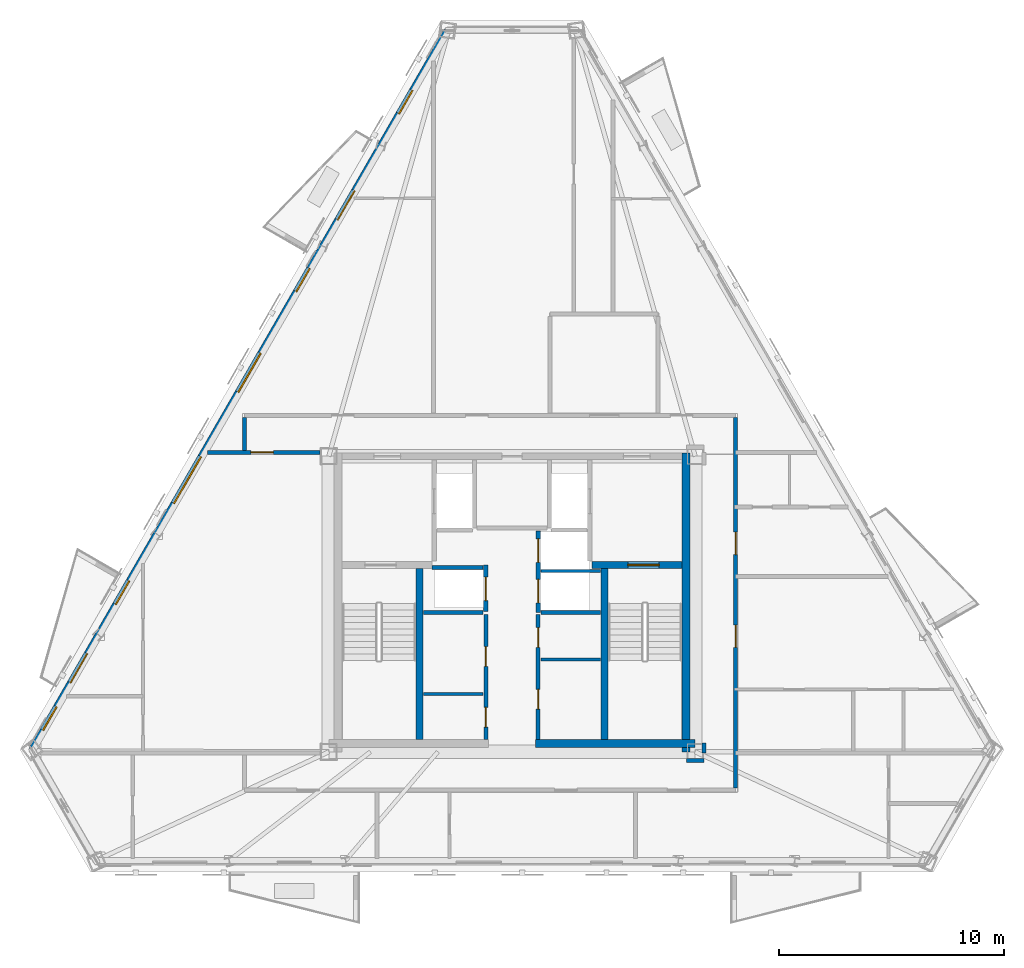
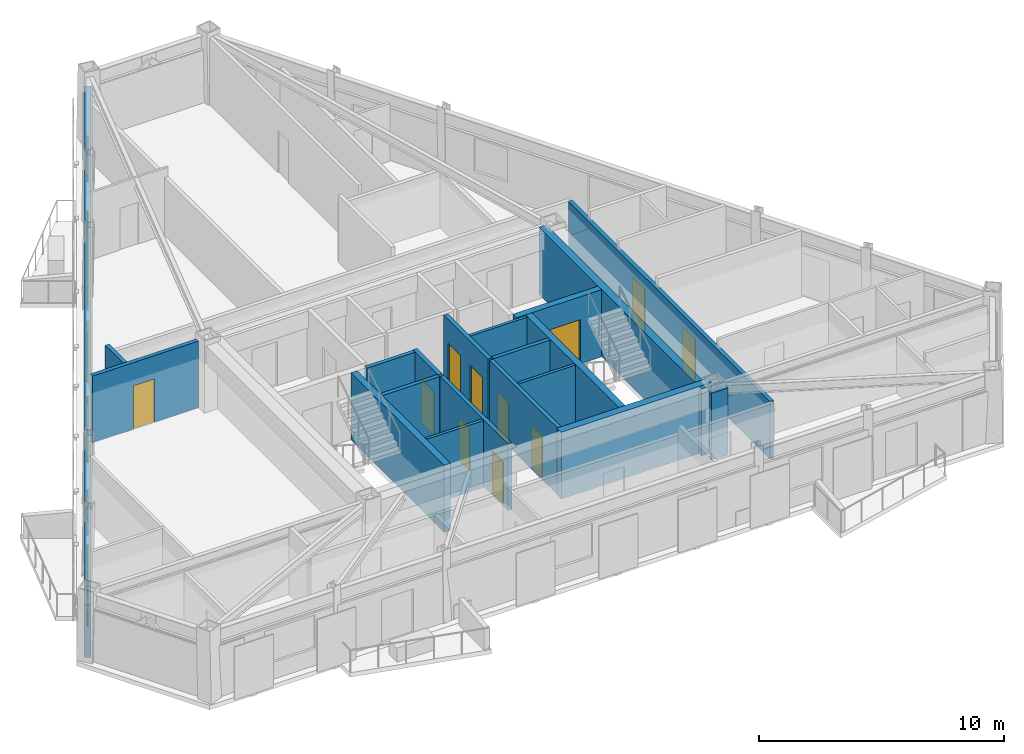
# One storey, part 3 of 8: 21 walls, 13 doors, 6 windows, 19 openings.
"""IFC4 building model written with IfcOpenShell, lengths in metres."""

import ifcopenshell
import ifcopenshell.guid

model = None  # the IFC model being written
_history = None  # IfcOwnerHistory: only IFC2X3 demands one
_inside = {}  # id of a spatial element -> (the spatial element, [elements in it])
_under = {}  # id of a project, library or spatial element -> (it, [spatial elements below it])
_declared = {}  # id of a project -> (the project, [libraries it declares])
_typed = {}  # id of a type object -> (the type object, [elements of that type])
_made_of = {}  # id of a material, layer set ... -> (it, [elements and type objects made of it])


def new_model(schema):
    """Start an empty IFC model of exactly this schema.

    Asked for "IFC4X3", IfcOpenShell would pick the latest addendum, in which some entities
    have other attributes; the version numbers below select the first issue.
    IFC2X3 requires an IfcOwnerHistory on every rooted entity: one is made here for all.
    """
    global model, _history
    if schema == "IFC4X3":
        model = ifcopenshell.file(schema_version=(4, 3, 0, 0))
    else:
        model = ifcopenshell.file(schema=schema)
    _inside.clear()
    _under.clear()
    _declared.clear()
    _typed.clear()
    _made_of.clear()
    _history = None
    if model.schema == "IFC2X3":
        org = make("IfcOrganization", Name="unknown")
        user = make(
            "IfcPersonAndOrganization",
            ThePerson=make("IfcPerson", FamilyName="unknown"),
            TheOrganization=org,
        )
        app = make(
            "IfcApplication",
            ApplicationDeveloper=org,
            Version="unknown",
            ApplicationFullName="unknown",
            ApplicationIdentifier="unknown",
        )
        _history = make(
            "IfcOwnerHistory",
            OwningUser=user,
            OwningApplication=app,
            ChangeAction="ADDED",
            CreationDate=0,
        )
    return model


def make(cls, **values):
    """One entity of the class cls with the attributes given. An attribute that is None is left unset."""
    return model.create_entity(
        cls, **{name: value for name, value in values.items() if value is not None}
    )


def rooted(cls, **values):
    """An entity with a GlobalId (a new one), such as an element, a storey or a relation."""
    return make(cls, GlobalId=ifcopenshell.guid.new(), OwnerHistory=_history, **values)


def si_unit(unit_type, name, prefix=None):
    """IfcSIUnit, for example si_unit("LENGTHUNIT", "METRE", prefix="MILLI")."""
    return make("IfcSIUnit", UnitType=unit_type, Prefix=prefix, Name=name)


def assignment(units):
    """IfcUnitAssignment: the units of a project."""
    return None if units is None else make("IfcUnitAssignment", Units=units)


def point(xyz):
    """IfcCartesianPoint."""
    return None if xyz is None else make("IfcCartesianPoint", Coordinates=xyz)


def direction(xyz):
    """IfcDirection."""
    return None if xyz is None else make("IfcDirection", DirectionRatios=xyz)


def frame(location, z_axis=None, x_axis=None):
    """IfcAxis2Placement3D, a coordinate frame: its origin and axes. An axis left out is left unset."""
    return make(
        "IfcAxis2Placement3D",
        Location=point(location),
        Axis=direction(z_axis),
        RefDirection=direction(x_axis),
    )


def frame_2d(location, x_axis=None):
    """IfcAxis2Placement2D, a coordinate frame in the plane: its origin and x axis."""
    return make(
        "IfcAxis2Placement2D", Location=point(location), RefDirection=direction(x_axis)
    )


def origin():
    """The frame at (0, 0, 0) with its axes left unset."""
    return frame((0.0, 0.0, 0.0))


def place(relative_to, where):
    """IfcLocalPlacement: puts the frame where relative to a parent placement (None: the world)."""
    return make(
        "IfcLocalPlacement", PlacementRelTo=relative_to, RelativePlacement=where
    )


def context(
    kind, dimensions, precision=None, world=None, true_north=None, identifier=None
):
    """IfcGeometricRepresentationContext, for example the 3D "Model" context."""
    return make(
        "IfcGeometricRepresentationContext",
        ContextIdentifier=identifier,
        ContextType=kind,
        CoordinateSpaceDimension=dimensions,
        Precision=precision,
        WorldCoordinateSystem=world,
        TrueNorth=true_north,
    )


def subcontext(parent, identifier, kind, view, scale=None):
    """IfcGeometricRepresentationSubContext, for example "Body" below "Model"."""
    return make(
        "IfcGeometricRepresentationSubContext",
        ContextIdentifier=identifier,
        ContextType=kind,
        ParentContext=parent,
        TargetScale=scale,
        TargetView=view,
    )


def project(units=None, contexts=None):
    """IfcProject with its units and contexts."""
    return rooted(
        "IfcProject",
        Name="project",
        RepresentationContexts=contexts,
        UnitsInContext=assignment(units),
    )


def spatial(cls, under=None, at=None, **own):
    """A site, building, storey or space (cls), placed at a placement, below another one or the project."""
    s = rooted(cls, ObjectPlacement=at, **own)
    if under is not None:
        _under.setdefault(under.id(), (under, []))[1].append(s)
    return s


def profile(cls, at=None, kind="AREA", **sizes):
    """A parametric profile (cls). Its sizes go by their IFC names, for example OverallWidth=200.0."""
    return make(cls, ProfileType=kind, Position=at, **sizes)


def rectangle(**sizes):
    """IfcRectangleProfileDef."""
    return profile("IfcRectangleProfileDef", **sizes)


def extrude(swept, where, along, depth):
    """IfcExtrudedAreaSolid: the profile swept, set in the frame where, extruded along a direction by depth."""
    return make(
        "IfcExtrudedAreaSolid",
        SweptArea=swept,
        Position=where,
        ExtrudedDirection=direction(along),
        Depth=depth,
    )


def shape(context_of_items, identifier, shape_type, items):
    """IfcShapeRepresentation: the items that make up one representation, for example the "Body"."""
    return make(
        "IfcShapeRepresentation",
        ContextOfItems=context_of_items,
        RepresentationIdentifier=identifier,
        RepresentationType=shape_type,
        Items=items,
    )


def material(Name=None, Category=None):
    """IfcMaterial."""
    return make("IfcMaterial", Name=Name, Category=Category)


def layer(
    of_material, thickness, ventilated=None, Name=None, Category=None, Priority=None
):
    """IfcMaterialLayer: one layer of a wall or slab, of a material (None: an air gap)."""
    return make(
        "IfcMaterialLayer",
        Material=of_material,
        LayerThickness=thickness,
        IsVentilated=ventilated,
        Name=Name,
        Category=Category,
        Priority=Priority,
    )


def layer_set(layers, Name=None):
    """IfcMaterialLayerSet."""
    return make("IfcMaterialLayerSet", MaterialLayers=layers, LayerSetName=Name)


def made_of(thing, what):
    """Note that an element or type object is made of a material, layer set ...; save() writes the relation."""
    if what is not None:
        _made_of.setdefault(what.id(), (what, []))[1].append(thing)
    return thing


def type_object(cls, material=None, **own):
    """A type object (cls), such as IfcWallType, which elements share."""
    return made_of(rooted(cls, **own), material)


def element(
    cls,
    number,
    at=None,
    inside=None,
    cuts=None,
    type_object=None,
    material=None,
    context=None,
    identifier="Body",
    shape_type=None,
    held_by="IfcProductDefinitionShape",
    body=None,
    shapes=None,
    **own,
):
    """One element of the class cls, such as IfcWall. Its Tag is "e" and its number.

    at: its placement. inside: the storey or other place that contains it. cuts: it is an
    opening in that element (IfcRelVoidsElement). A single representation is given by context,
    identifier, shape_type and body (its items); several are given by shapes. held_by: the class
    of the entity that holds the representations. save() writes the other relations.
    """
    e = rooted(cls, Tag="e%d" % number, ObjectPlacement=at, **own)
    if body is not None:
        shapes = [shape(context, identifier, shape_type, body)]
    if shapes is not None:
        e.Representation = make(held_by, Representations=shapes)
    if inside is not None:
        _inside.setdefault(inside.id(), (inside, []))[1].append(e)
    if cuts is not None:
        rooted(
            "IfcRelVoidsElement", RelatingBuildingElement=cuts, RelatedOpeningElement=e
        )
    if type_object is not None:
        _typed.setdefault(type_object.id(), (type_object, []))[1].append(e)
    return made_of(e, material)


def fill(opening, filler):
    """IfcRelFillsElement: the door or window that sits in an opening."""
    return rooted(
        "IfcRelFillsElement",
        RelatingOpeningElement=opening,
        RelatedBuildingElement=filler,
    )


def aggregate(whole, parts):
    """IfcRelAggregates: a whole, such as a stair, and the parts it consists of."""
    return rooted("IfcRelAggregates", RelatingObject=whole, RelatedObjects=parts)


def save(model, path):
    """Write the relations noted so far, then the file.

    IfcRelAggregates (storeys below a building ...), IfcRelContainedInSpatialStructure (elements
    in a storey), IfcRelDefinesByType, IfcRelAssociatesMaterial and IfcRelDeclares: one each for
    every whole, place, type object, material and project.
    """
    for whole, parts in _under.values():
        aggregate(whole, parts)
    for where, things in _inside.values():
        rooted(
            "IfcRelContainedInSpatialStructure",
            RelatedElements=things,
            RelatingStructure=where,
        )
    for kind, things in _typed.values():
        rooted("IfcRelDefinesByType", RelatedObjects=things, RelatingType=kind)
    for what, things in _made_of.values():
        rooted("IfcRelAssociatesMaterial", RelatedObjects=things, RelatingMaterial=what)
    for by, libraries in _declared.values():
        rooted("IfcRelDeclares", RelatingContext=by, RelatedDefinitions=libraries)
    model.write(path)


model = new_model("IFC4")

# Units and contexts
model_context = context("Model", 3, precision=1e-05, world=origin(), true_north=direction((0.0, 1.0)))
body_context = subcontext(model_context, "Body", "Model", "MODEL_VIEW")
ifc_project = project(units=[si_unit("LENGTHUNIT", "METRE"), si_unit("AREAUNIT", "SQUARE_METRE"), si_unit("VOLUMEUNIT", "CUBIC_METRE"), si_unit("PLANEANGLEUNIT", "RADIAN"), si_unit("MASSUNIT", "GRAM", prefix="KILO")], contexts=[model_context])

# Site, building, storey
site_placement = place(None, origin())
site = spatial("IfcSite", under=ifc_project, at=site_placement, CompositionType="ELEMENT")
building_placement = place(site_placement, origin())
building = spatial("IfcBuilding", under=site, at=building_placement, Name="Oramaril Tower", CompositionType="ELEMENT")
storey_placement = place(building_placement, frame((0.0, 0.0, 241.5)))
storey = spatial("IfcBuildingStorey", under=building, at=storey_placement, Name="L64", CompositionType="ELEMENT", Elevation=241.5)

# Wall, openings, doors, windows
ifc_material_1 = material(Name="Warm Cream Limestone", Category="masonry")
ifc_layer_1 = layer(ifc_material_1, 0.2900390625)
ifc_layer_set_1 = layer_set([ifc_layer_1], Name="WT-EXT29")
wall_type_1 = type_object("IfcWallType", Name="WT-EXT29", PredefinedType="SOLIDWALL", material=ifc_layer_set_1)
wall_1_placement = place(storey_placement, frame((34.6181640625, 43.09765625, 0.0), z_axis=(0.0, 0.0, 1.0), x_axis=(-0.499999075663, -0.86602593745, 0.0)))
wall_1 = element("IfcWall", 1, at=wall_1_placement, inside=storey, type_object=wall_type_1, Name="L64 Tower Limestone Facade Wall 6M", PredefinedType="SOLIDWALL", context=body_context, shape_type="SweptSolid", body=[
    extrude(rectangle(XDim=36.951171875, YDim=0.2900390625, at=frame_2d((18.4755859375, 0.0))), origin(), (0.0, 0.0, 1.0), 2.636962890625),
])
opening_1_placement = place(wall_1_placement, frame((8.244384765625, 0.0, 0.0)))
opening_1 = element("IfcOpeningElement", 2, at=opening_1_placement, cuts=wall_1, Name="Opening D-L64-BAL-NW1", PredefinedType="OPENING", context=body_context, shape_type="SweptSolid", body=[
    extrude(rectangle(XDim=1.5, YDim=2.199951171875, at=frame_2d((0.75, 1.10009765625))), frame((0.0, 0.14501953125, 0.0), z_axis=(0.0, -1.0, 0.0), x_axis=(1.0, 0.0, 0.0)), (0.0, 0.0, 1.0), 0.2900390625),
])
opening_2_placement = place(wall_1_placement, frame((32.02197265625, 0.0, 0.0)))
opening_2 = element("IfcOpeningElement", 3, at=opening_2_placement, cuts=wall_1, Name="Opening D-L64-BAL-NW2", PredefinedType="OPENING", context=body_context, shape_type="SweptSolid", body=[
    extrude(rectangle(XDim=1.5, YDim=2.199951171875, at=frame_2d((0.75, 1.10009765625))), frame((0.0, 0.14501953125, 0.0), z_axis=(0.0, -1.0, 0.0), x_axis=(1.0, 0.0, 0.0)), (0.0, 0.0, 1.0), 0.2900390625),
])
opening_3_placement = place(wall_1_placement, frame((21.910888671875, 0.0, 0.85009765625)))
opening_3 = element("IfcOpeningElement", 4, at=opening_3_placement, cuts=wall_1, Name="Opening WN-03", PredefinedType="OPENING", context=body_context, shape_type="SweptSolid", body=[
    extrude(rectangle(XDim=2.39990234375, YDim=1.677001953125, at=frame_2d((1.199951171875, 0.83837890625))), frame((0.0, 0.14501953125, 0.0), z_axis=(0.0, -1.0, 0.0), x_axis=(1.0, 0.0, 0.0)), (0.0, 0.0, 1.0), 0.2900390625),
])
opening_4_placement = place(wall_1_placement, frame((28.289794921875, 0.0, 0.85009765625)))
opening_4 = element("IfcOpeningElement", 5, at=opening_4_placement, cuts=wall_1, Name="Opening WN-09", PredefinedType="OPENING", context=body_context, shape_type="SweptSolid", body=[
    extrude(rectangle(XDim=1.199951171875, YDim=1.47998046875, at=frame_2d((0.60009765625, 0.739990234375))), frame((0.0, 0.14501953125, 0.0), z_axis=(0.0, -1.0, 0.0), x_axis=(1.0, 0.0, 0.0)), (0.0, 0.0, 1.0), 0.2900390625),
])
opening_5_placement = place(wall_1_placement, frame((34.7548828125, 0.0, 0.85009765625)))
opening_5 = element("IfcOpeningElement", 6, at=opening_5_placement, cuts=wall_1, Name="Opening WN-09", PredefinedType="OPENING", context=body_context, shape_type="SweptSolid", body=[
    extrude(rectangle(XDim=1.199951171875, YDim=1.47998046875, at=frame_2d((0.60009765625, 0.739990234375))), frame((0.0, 0.14501953125, 0.0), z_axis=(0.0, -1.0, 0.0), x_axis=(1.0, 0.0, 0.0)), (0.0, 0.0, 1.0), 0.2900390625),
])
opening_6_placement = place(wall_1_placement, frame((12.23291015625, 0.0, 0.85009765625)))
opening_6 = element("IfcOpeningElement", 7, at=opening_6_placement, cuts=wall_1, Name="Opening WN-09", PredefinedType="OPENING", context=body_context, shape_type="SweptSolid", body=[
    extrude(rectangle(XDim=1.199951171875, YDim=1.47998046875, at=frame_2d((0.60009765625, 0.739990234375))), frame((0.0, 0.14501953125, 0.0), z_axis=(0.0, -1.0, 0.0), x_axis=(1.0, 0.0, 0.0)), (0.0, 0.0, 1.0), 0.2900390625),
])
opening_7_placement = place(wall_1_placement, frame((16.590087890625, 0.0, 0.85009765625)))
opening_7 = element("IfcOpeningElement", 8, at=opening_7_placement, cuts=wall_1, Name="Opening WN-05", PredefinedType="OPENING", context=body_context, shape_type="SweptSolid", body=[
    extrude(rectangle(XDim=2.0, YDim=1.677001953125, at=frame_2d((1.0, 0.83837890625))), frame((0.0, 0.14501953125, 0.0), z_axis=(0.0, -1.0, 0.0), x_axis=(1.0, 0.0, 0.0)), (0.0, 0.0, 1.0), 0.2900390625),
])
opening_8_placement = place(wall_1_placement, frame((3.091552734375, 0.0, 0.85009765625)))
opening_8 = element("IfcOpeningElement", 9, at=opening_8_placement, cuts=wall_1, Name="Opening WN-09", PredefinedType="OPENING", context=body_context, shape_type="SweptSolid", body=[
    extrude(rectangle(XDim=1.199951171875, YDim=1.47998046875, at=frame_2d((0.60009765625, 0.739990234375))), frame((0.0, 0.14501953125, 0.0), z_axis=(0.0, -1.0, 0.0), x_axis=(1.0, 0.0, 0.0)), (0.0, 0.0, 1.0), 0.2900390625),
])
ifc_material_2 = material(Name="Anodised Aluminium 6063-T6", Category="aluminium")
door_type_1 = type_object("IfcDoorType", Name="DT-BAL", OperationType="NOTDEFINED", PredefinedType="DOOR", material=ifc_material_2)
door_1_placement = place(opening_1_placement, origin())
door_1 = element("IfcDoor", 10, at=door_1_placement, inside=storey, type_object=door_type_1, Name="L64 Balcony Glazed Door L64-BAL-NW1", OperationType="SINGLE_SWING_LEFT", OverallHeight=2.199951171875, OverallWidth=1.5, PredefinedType="DOOR", context=body_context, shape_type="SweptSolid", body=[
    extrude(rectangle(XDim=1.5, YDim=2.199951171875, at=frame_2d((0.75, 1.10009765625))), frame((0.0, 0.02490234375, 0.0), z_axis=(0.0, -1.0, 0.0), x_axis=(1.0, 0.0, 0.0)), (0.0, 0.0, 1.0), 0.050048828125),
])
fill(opening_1, door_1)
door_2_placement = place(opening_2_placement, origin())
door_2 = element("IfcDoor", 11, at=door_2_placement, inside=storey, type_object=door_type_1, Name="L64 Balcony Glazed Door L64-BAL-NW2", OperationType="SINGLE_SWING_RIGHT", OverallHeight=2.199951171875, OverallWidth=1.5, PredefinedType="DOOR", context=body_context, shape_type="SweptSolid", body=[
    extrude(rectangle(XDim=1.5, YDim=2.199951171875, at=frame_2d((0.75, 1.10009765625))), frame((0.0, 0.02490234375, 0.0), z_axis=(0.0, -1.0, 0.0), x_axis=(1.0, 0.0, 0.0)), (0.0, 0.0, 1.0), 0.050048828125),
])
fill(opening_2, door_2)
ifc_material_3 = material(Name="Coastal Low-E Insulated Glass", Category="glass")
window_type_1 = type_object("IfcWindowType", Name="WNT-03", PartitioningType="SINGLE_PANEL", PredefinedType="WINDOW", material=ifc_material_3)
window_1_placement = place(opening_3_placement, origin())
window_1 = element("IfcWindow", 12, at=window_1_placement, inside=storey, type_object=window_type_1, Name="L64 Chicago Bay Window WN-03", OverallHeight=1.677001953125, OverallWidth=2.39990234375, PartitioningType="SINGLE_PANEL", PredefinedType="WINDOW", context=body_context, shape_type="SweptSolid", body=[
    extrude(rectangle(XDim=2.39990234375, YDim=1.677001953125, at=frame_2d((1.199951171875, 0.83837890625))), frame((0.0, 0.030029296875, 0.0), z_axis=(0.0, -1.0, 0.0), x_axis=(1.0, 0.0, 0.0)), (0.0, 0.0, 1.0), 0.06005859375),
])
fill(opening_3, window_1)
ifc_material_4 = material(Name="Coastal Low-E Insulated Glass", Category="glass")
window_type_2 = type_object("IfcWindowType", Name="WNT-05", PartitioningType="SINGLE_PANEL", PredefinedType="WINDOW", material=ifc_material_4)
window_2_placement = place(opening_7_placement, origin())
window_2 = element("IfcWindow", 13, at=window_2_placement, inside=storey, type_object=window_type_2, Name="L64 Chicago Bay Window WN-05", OverallHeight=1.677001953125, OverallWidth=2.0, PartitioningType="SINGLE_PANEL", PredefinedType="WINDOW", context=body_context, shape_type="SweptSolid", body=[
    extrude(rectangle(XDim=2.0, YDim=1.677001953125, at=frame_2d((1.0, 0.83837890625))), frame((0.0, 0.030029296875, 0.0), z_axis=(0.0, -1.0, 0.0), x_axis=(1.0, 0.0, 0.0)), (0.0, 0.0, 1.0), 0.06005859375),
])
fill(opening_7, window_2)
ifc_material_5 = material(Name="Coastal Low-E Insulated Glass", Category="glass")
window_type_3 = type_object("IfcWindowType", Name="WNT-09", PartitioningType="SINGLE_PANEL", PredefinedType="WINDOW", material=ifc_material_5)
window_3_placement = place(opening_4_placement, origin())
window_3 = element("IfcWindow", 14, at=window_3_placement, inside=storey, type_object=window_type_3, Name="L64 Chicago Bay Window WN-09", OverallHeight=1.47998046875, OverallWidth=1.199951171875, PartitioningType="SINGLE_PANEL", PredefinedType="WINDOW", context=body_context, shape_type="SweptSolid", body=[
    extrude(rectangle(XDim=1.199951171875, YDim=1.47998046875, at=frame_2d((0.60009765625, 0.739990234375))), frame((0.0, 0.030029296875, 0.0), z_axis=(0.0, -1.0, 0.0), x_axis=(1.0, 0.0, 0.0)), (0.0, 0.0, 1.0), 0.06005859375),
])
fill(opening_4, window_3)
window_4_placement = place(opening_5_placement, origin())
window_4 = element("IfcWindow", 15, at=window_4_placement, inside=storey, type_object=window_type_3, Name="L64 Chicago Bay Window WN-09", OverallHeight=1.47998046875, OverallWidth=1.199951171875, PartitioningType="SINGLE_PANEL", PredefinedType="WINDOW", context=body_context, shape_type="SweptSolid", body=[
    extrude(rectangle(XDim=1.199951171875, YDim=1.47998046875, at=frame_2d((0.60009765625, 0.739990234375))), frame((0.0, 0.030029296875, 0.0), z_axis=(0.0, -1.0, 0.0), x_axis=(1.0, 0.0, 0.0)), (0.0, 0.0, 1.0), 0.06005859375),
])
fill(opening_5, window_4)
window_5_placement = place(opening_6_placement, origin())
window_5 = element("IfcWindow", 16, at=window_5_placement, inside=storey, type_object=window_type_3, Name="L64 Chicago Bay Window WN-09", OverallHeight=1.47998046875, OverallWidth=1.199951171875, PartitioningType="SINGLE_PANEL", PredefinedType="WINDOW", context=body_context, shape_type="SweptSolid", body=[
    extrude(rectangle(XDim=1.199951171875, YDim=1.47998046875, at=frame_2d((0.60009765625, 0.739990234375))), frame((0.0, 0.030029296875, 0.0), z_axis=(0.0, -1.0, 0.0), x_axis=(1.0, 0.0, 0.0)), (0.0, 0.0, 1.0), 0.06005859375),
])
fill(opening_6, window_5)
window_6_placement = place(opening_8_placement, origin())
window_6 = element("IfcWindow", 17, at=window_6_placement, inside=storey, type_object=window_type_3, Name="L64 Chicago Bay Window WN-09", OverallHeight=1.47998046875, OverallWidth=1.199951171875, PartitioningType="SINGLE_PANEL", PredefinedType="WINDOW", context=body_context, shape_type="SweptSolid", body=[
    extrude(rectangle(XDim=1.199951171875, YDim=1.47998046875, at=frame_2d((0.60009765625, 0.739990234375))), frame((0.0, 0.030029296875, 0.0), z_axis=(0.0, -1.0, 0.0), x_axis=(1.0, 0.0, 0.0)), (0.0, 0.0, 1.0), 0.06005859375),
])
fill(opening_8, window_6)

# Walls
ifc_material_6 = material(Name="Acoustic Gypsum Board Partition")
ifc_layer_2 = layer(ifc_material_6, 0.139892578125)
ifc_layer_set_2 = layer_set([ifc_layer_2], Name="WT-PT14")
wall_type_2 = type_object("IfcWallType", Name="WT-PT14", PredefinedType="PARTITIONING", material=ifc_layer_set_2)
for number, where, z_axis, x_axis, name in (
    (18, (33.56005859375, 13.570068359375, 0.0), (0.0, 0.0, 1.0), (1.0, 0.0, 0.0), "L64 Freed Shaft Divider"),
    (19, (38.780029296875, 19.050048828125, 0.0), (0.0, 0.0, 1.0), (1.0, 0.0, 0.0), "L64 High-Rise Lift H2-H3 Divider"),
    (20, (38.780029296875, 15.110107421875, 0.0), (0.0, 0.0, 1.0), (1.0, 0.0, 0.0), "L64 Freed Shaft Divider"),
):
    element("IfcWall", number, at=place(storey_placement, frame(where, z_axis=z_axis, x_axis=x_axis)), inside=storey, type_object=wall_type_2, Name=name, PredefinedType="PARTITIONING", context=body_context, shape_type="SweptSolid", body=[
        extrude(rectangle(XDim=2.659912109375, YDim=0.139892578125, at=frame_2d((1.330078125, 0.0))), origin(), (0.0, 0.0, 1.0), 3.340087890625),
    ])
ifc_material_7 = material(Name="Autoclaved Cellular Concrete Block", Category="concrete")
ifc_layer_3 = layer(ifc_material_7, 0.179931640625)
ifc_layer_set_3 = layer_set([ifc_layer_3], Name="WT-PT18")
wall_type_3 = type_object("IfcWallType", Name="WT-PT18", PredefinedType="PARTITIONING", material=ifc_layer_set_3)
wall_2_placement = place(storey_placement, frame((33.949951171875, 19.199951171875, 0.0), z_axis=(0.0, 0.0, 1.0), x_axis=(1.0, 0.0, 0.0)))
element("IfcWall", 21, at=wall_2_placement, inside=storey, type_object=wall_type_3, Name="L64 High-Rise Lift H1 North Shaft Wall", PredefinedType="PARTITIONING", context=body_context, shape_type="SweptSolid", body=[
    extrude(rectangle(XDim=2.27001953125, YDim=0.179931640625, at=frame_2d((1.135009765625, 0.0))), origin(), (0.0, 0.0, 1.0), 3.340087890625),
])
wall_3_placement = place(storey_placement, frame((33.56005859375, 17.199951171875, 0.0), z_axis=(0.0, 0.0, 1.0), x_axis=(1.0, 0.0, 0.0)))
element("IfcWall", 22, at=wall_3_placement, inside=storey, type_object=wall_type_3, Name="L64 High-Rise Lift H1 South Wall", PredefinedType="PARTITIONING", context=body_context, shape_type="SweptSolid", body=[
    extrude(rectangle(XDim=2.659912109375, YDim=0.179931640625, at=frame_2d((1.330078125, 0.0))), origin(), (0.0, 0.0, 1.0), 3.340087890625),
])

# Wall, openings, doors
wall_4_placement = place(storey_placement, frame((36.340087890625, 11.550048828125, 0.0), z_axis=(0.0, 0.0, 1.0), x_axis=(0.0, 1.0, 0.0)))
wall_4 = element("IfcWall", 23, at=wall_4_placement, inside=storey, type_object=wall_type_3, Name="L64 Freed Shaft Study East Wall", PredefinedType="PARTITIONING", context=body_context, shape_type="SweptSolid", body=[
    extrude(rectangle(XDim=5.550048828125, YDim=0.179931640625, at=frame_2d((2.77490234375, 0.0))), origin(), (0.0, 0.0, 1.0), 3.340087890625),
])
opening_9_placement = place(wall_4_placement, frame((0.550048828125, 0.0, 0.0)))
opening_9 = element("IfcOpeningElement", 24, at=opening_9_placement, cuts=wall_4, Name="Opening D-L64-FL1", PredefinedType="OPENING", context=body_context, shape_type="SweptSolid", body=[
    extrude(rectangle(XDim=0.8798828125, YDim=2.080078125, at=frame_2d((0.43994140625, 1.0400390625))), frame((0.0, 0.08984375, 0.0), z_axis=(0.0, -1.0, 0.0), x_axis=(1.0, 0.0, 0.0)), (0.0, 0.0, 1.0), 0.179931640625),
])
opening_10_placement = place(wall_4_placement, frame((3.25, 0.0, 0.0)))
opening_10 = element("IfcOpeningElement", 25, at=opening_10_placement, cuts=wall_4, Name="Opening D-L64-FL2", PredefinedType="OPENING", context=body_context, shape_type="SweptSolid", body=[
    extrude(rectangle(XDim=0.8798828125, YDim=2.080078125, at=frame_2d((0.43994140625, 1.0400390625))), frame((0.0, 0.08984375, 0.0), z_axis=(0.0, -1.0, 0.0), x_axis=(1.0, 0.0, 0.0)), (0.0, 0.0, 1.0), 0.179931640625),
])
ifc_material_8 = material(Name="FSC Brazilian Freijo Hardwood", Category="wood")
door_type_2 = type_object("IfcDoorType", Name="DT-BATH", OperationType="NOTDEFINED", PredefinedType="DOOR", material=ifc_material_8)
door_3_placement = place(opening_9_placement, origin())
door_3 = element("IfcDoor", 26, at=door_3_placement, inside=storey, type_object=door_type_2, Name="L64 L64 Residents Tasting Dining Nook Door", OperationType="SINGLE_SWING_LEFT", OverallHeight=2.080078125, OverallWidth=0.8798828125, PredefinedType="DOOR", context=body_context, shape_type="SweptSolid", body=[
    extrude(rectangle(XDim=0.8798828125, YDim=2.080078125, at=frame_2d((0.43994140625, 1.0400390625))), frame((0.0, 0.02490234375, 0.0), z_axis=(0.0, -1.0, 0.0), x_axis=(1.0, 0.0, 0.0)), (0.0, 0.0, 1.0), 0.050048828125),
])
fill(opening_9, door_3)
door_4_placement = place(opening_10_placement, origin())
door_4 = element("IfcDoor", 27, at=door_4_placement, inside=storey, type_object=door_type_2, Name="L64 L64 Floor Co-Work Office Door", OperationType="SINGLE_SWING_RIGHT", OverallHeight=2.080078125, OverallWidth=0.8798828125, PredefinedType="DOOR", context=body_context, shape_type="SweptSolid", body=[
    extrude(rectangle(XDim=0.8798828125, YDim=2.080078125, at=frame_2d((0.43994140625, 1.0400390625))), frame((0.0, 0.02490234375, 0.0), z_axis=(0.0, -1.0, 0.0), x_axis=(1.0, 0.0, 0.0)), (0.0, 0.0, 1.0), 0.050048828125),
])
fill(opening_10, door_4)

# Wall
wall_5_placement = place(storey_placement, frame((38.780029296875, 17.199951171875, 0.0), z_axis=(0.0, 0.0, 1.0), x_axis=(1.0, 0.0, 0.0)))
element("IfcWall", 28, at=wall_5_placement, inside=storey, type_object=wall_type_3, Name="L64 High-Rise Lift H2 South Wall", PredefinedType="PARTITIONING", context=body_context, shape_type="SweptSolid", body=[
    extrude(rectangle(XDim=2.659912109375, YDim=0.179931640625, at=frame_2d((1.330078125, 0.0))), origin(), (0.0, 0.0, 1.0), 3.340087890625),
])

# Wall, openings, doors
wall_6_placement = place(storey_placement, frame((38.659912109375, 11.550048828125, 0.0), z_axis=(0.0, 0.0, 1.0), x_axis=(0.0, 1.0, 0.0)))
wall_6 = element("IfcWall", 29, at=wall_6_placement, inside=storey, type_object=wall_type_3, Name="L64 Freed Shaft Alcove West Wall", PredefinedType="PARTITIONING", context=body_context, shape_type="SweptSolid", body=[
    extrude(rectangle(XDim=5.550048828125, YDim=0.179931640625, at=frame_2d((2.77490234375, 0.0))), origin(), (0.0, 0.0, 1.0), 3.340087890625),
])
opening_11_placement = place(wall_6_placement, frame((1.35009765625, 0.0, 0.0)))
opening_11 = element("IfcOpeningElement", 30, at=opening_11_placement, cuts=wall_6, Name="Opening D-L64-FM1", PredefinedType="OPENING", context=body_context, shape_type="SweptSolid", body=[
    extrude(rectangle(XDim=0.8798828125, YDim=2.080078125, at=frame_2d((0.43994140625, 1.0400390625))), frame((0.0, 0.08984375, 0.0), z_axis=(0.0, -1.0, 0.0), x_axis=(1.0, 0.0, 0.0)), (0.0, 0.0, 1.0), 0.179931640625),
])
opening_12_placement = place(wall_6_placement, frame((4.10009765625, 0.0, 0.0)))
opening_12 = element("IfcOpeningElement", 31, at=opening_12_placement, cuts=wall_6, Name="Opening D-L64-FM2", PredefinedType="OPENING", context=body_context, shape_type="SweptSolid", body=[
    extrude(rectangle(XDim=0.8798828125, YDim=2.080078125, at=frame_2d((0.43994140625, 1.0400390625))), frame((0.0, 0.08984375, 0.0), z_axis=(0.0, -1.0, 0.0), x_axis=(1.0, 0.0, 0.0)), (0.0, 0.0, 1.0), 0.179931640625),
])
door_5_placement = place(opening_11_placement, origin())
door_5 = element("IfcDoor", 32, at=door_5_placement, inside=storey, type_object=door_type_2, Name="L64 L64 Private Home Office Door", OperationType="SINGLE_SWING_RIGHT", OverallHeight=2.080078125, OverallWidth=0.8798828125, PredefinedType="DOOR", context=body_context, shape_type="SweptSolid", body=[
    extrude(rectangle(XDim=0.8798828125, YDim=2.080078125, at=frame_2d((0.43994140625, 1.0400390625))), frame((0.0, 0.02490234375, 0.0), z_axis=(0.0, -1.0, 0.0), x_axis=(1.0, 0.0, 0.0)), (0.0, 0.0, 1.0), 0.050048828125),
])
fill(opening_11, door_5)
door_6_placement = place(opening_12_placement, origin())
door_6 = element("IfcDoor", 33, at=door_6_placement, inside=storey, type_object=door_type_2, Name="L64 L64 Sky Tea Dining Alcove Door", OperationType="SINGLE_SWING_LEFT", OverallHeight=2.080078125, OverallWidth=0.8798828125, PredefinedType="DOOR", context=body_context, shape_type="SweptSolid", body=[
    extrude(rectangle(XDim=0.8798828125, YDim=2.080078125, at=frame_2d((0.43994140625, 1.0400390625))), frame((0.0, 0.02490234375, 0.0), z_axis=(0.0, -1.0, 0.0), x_axis=(1.0, 0.0, 0.0)), (0.0, 0.0, 1.0), 0.050048828125),
])
fill(opening_12, door_6)

# Wall
wall_7_placement = place(storey_placement, frame((45.260009765625, 10.610107421875, 0.0), z_axis=(0.0, 0.0, 1.0), x_axis=(1.0, 0.0, 0.0)))
element("IfcWall", 34, at=wall_7_placement, inside=storey, type_object=wall_type_3, Name="L64 Interior Partition PT-18", PredefinedType="PARTITIONING", context=body_context, shape_type="SweptSolid", body=[
    extrude(rectangle(XDim=0.780029296875, YDim=0.179931640625, at=frame_2d((0.39013671875, 0.0))), origin(), (0.0, 0.0, 1.0), 3.340087890625),
])

# Wall, opening, door
wall_8_placement = place(storey_placement, frame((23.948974609375, 24.320068359375, 0.0), z_axis=(0.0, 0.0, 1.0), x_axis=(1.0, 0.0, 0.0)))
wall_8 = element("IfcWall", 35, at=wall_8_placement, inside=storey, type_object=wall_type_3, Name="L64 Interior Partition PT-18", PredefinedType="PARTITIONING", context=body_context, shape_type="SweptSolid", body=[
    extrude(rectangle(XDim=5.010986328125, YDim=0.179931640625, at=frame_2d((2.50537109375, 0.0))), origin(), (0.0, 0.0, 1.0), 3.340087890625),
])
opening_13_placement = place(wall_8_placement, frame((1.939208984375, 0.0, 0.0)))
opening_13 = element("IfcOpeningElement", 36, at=opening_13_placement, cuts=wall_8, Name="Opening D-L64-09", PredefinedType="OPENING", context=body_context, shape_type="SweptSolid", body=[
    extrude(rectangle(XDim=1.0, YDim=2.179931640625, at=frame_2d((0.5, 1.08984375))), frame((0.0, 0.08984375, 0.0), z_axis=(0.0, -1.0, 0.0), x_axis=(1.0, 0.0, 0.0)), (0.0, 0.0, 1.0), 0.179931640625),
])
ifc_material_9 = material(Name="FSC Brazilian Freijo Hardwood", Category="wood")
door_type_3 = type_object("IfcDoorType", Name="DT-APT", OperationType="NOTDEFINED", PredefinedType="DOOR", material=ifc_material_9)
door_7_placement = place(opening_13_placement, origin())
door_7 = element("IfcDoor", 37, at=door_7_placement, inside=storey, type_object=door_type_3, Name="L64 Flat L64-U4 Studio Apartment Door D-L64-09", OperationType="SINGLE_SWING_LEFT", OverallHeight=2.179931640625, OverallWidth=1.0, PredefinedType="DOOR", context=body_context, shape_type="SweptSolid", body=[
    extrude(rectangle(XDim=1.0, YDim=2.179931640625, at=frame_2d((0.5, 1.08984375))), frame((0.0, 0.02490234375, 0.0), z_axis=(0.0, -1.0, 0.0), x_axis=(1.0, 0.0, 0.0)), (0.0, 0.0, 1.0), 0.050048828125),
])
fill(opening_13, door_7)

# Walls
wall_9_placement = place(storey_placement, frame((25.60009765625, 24.4140625, 0.0), z_axis=(0.0, 0.0, 1.0), x_axis=(0.0, 1.0, 0.0)))
element("IfcWall", 38, at=wall_9_placement, inside=storey, type_object=wall_type_3, Name="L64 Interior Partition PT-18", PredefinedType="PARTITIONING", context=body_context, shape_type="SweptSolid", body=[
    extrude(rectangle(XDim=1.4619140625, YDim=0.179931640625, at=frame_2d((0.73095703125, 0.0))), origin(), (0.0, 0.0, 1.0), 3.340087890625),
])
wall_10_placement = place(storey_placement, frame((46.050048828125, 10.949951171875, 0.0), z_axis=(0.0, 0.0, 1.0), x_axis=(0.0, 1.0, 0.0)))
element("IfcWall", 39, at=wall_10_placement, inside=storey, type_object=wall_type_3, Name="L64 Interior Partition PT-18", PredefinedType="PARTITIONING", context=body_context, shape_type="SweptSolid", body=[
    extrude(rectangle(XDim=0.445068359375, YDim=0.179931640625, at=frame_2d((0.22265625, 0.0))), origin(), (0.0, 0.0, 1.0), 2.873046875),
])

# Wall, openings, doors
wall_11_placement = place(storey_placement, frame((47.449951171875, 9.39404296875, 0.0), z_axis=(0.0, 0.0, 1.0), x_axis=(0.0, 1.0, 0.0)))
wall_11 = element("IfcWall", 40, at=wall_11_placement, inside=storey, type_object=wall_type_3, Name="L64 Interior Partition PT-18", PredefinedType="PARTITIONING", context=body_context, shape_type="SweptSolid", body=[
    extrude(rectangle(XDim=16.48193359375, YDim=0.179931640625, at=frame_2d((8.240966796875, 0.0))), origin(), (0.0, 0.0, 1.0), 2.873046875),
])
opening_14_placement = place(wall_11_placement, frame((6.246826171875, 0.0, 0.0)))
opening_14 = element("IfcOpeningElement", 41, at=opening_14_placement, cuts=wall_11, Name="Opening D-L64-21", PredefinedType="OPENING", context=body_context, shape_type="SweptSolid", body=[
    extrude(rectangle(XDim=1.0, YDim=2.179931640625, at=frame_2d((0.5, 1.08984375))), frame((0.0, 0.08984375, 0.0), z_axis=(0.0, -1.0, 0.0), x_axis=(1.0, 0.0, 0.0)), (0.0, 0.0, 1.0), 0.179931640625),
])
opening_15_placement = place(wall_11_placement, frame((10.378662109375, 0.0, 0.0)))
opening_15 = element("IfcOpeningElement", 42, at=opening_15_placement, cuts=wall_11, Name="Opening D-L64-22", PredefinedType="OPENING", context=body_context, shape_type="SweptSolid", body=[
    extrude(rectangle(XDim=1.0, YDim=2.179931640625, at=frame_2d((0.5, 1.08984375))), frame((0.0, 0.08984375, 0.0), z_axis=(0.0, -1.0, 0.0), x_axis=(1.0, 0.0, 0.0)), (0.0, 0.0, 1.0), 0.179931640625),
])
door_8_placement = place(opening_14_placement, origin())
door_8 = element("IfcDoor", 43, at=door_8_placement, inside=storey, type_object=door_type_3, Name="L64 Flat L64-U5 Living and Dining Room Door D-L64-21", OperationType="SINGLE_SWING_LEFT", OverallHeight=2.179931640625, OverallWidth=1.0, PredefinedType="DOOR", context=body_context, shape_type="SweptSolid", body=[
    extrude(rectangle(XDim=1.0, YDim=2.179931640625, at=frame_2d((0.5, 1.08984375))), frame((0.0, 0.02490234375, 0.0), z_axis=(0.0, -1.0, 0.0), x_axis=(1.0, 0.0, 0.0)), (0.0, 0.0, 1.0), 0.050048828125),
])
fill(opening_14, door_8)
door_9_placement = place(opening_15_placement, origin())
door_9 = element("IfcDoor", 44, at=door_9_placement, inside=storey, type_object=door_type_3, Name="L64 Flat L64-U6 Studio Apartment Door D-L64-22", OperationType="SINGLE_SWING_RIGHT", OverallHeight=2.179931640625, OverallWidth=1.0, PredefinedType="DOOR", context=body_context, shape_type="SweptSolid", body=[
    extrude(rectangle(XDim=1.0, YDim=2.179931640625, at=frame_2d((0.5, 1.08984375))), frame((0.0, 0.02490234375, 0.0), z_axis=(0.0, -1.0, 0.0), x_axis=(1.0, 0.0, 0.0)), (0.0, 0.0, 1.0), 0.050048828125),
])
fill(opening_15, door_9)

# Wall, opening, door
ifc_material_10 = material(Name="Concrete C50/60", Category="concrete")
ifc_layer_4 = layer(ifc_material_10, 0.300048828125)
ifc_layer_set_4 = layer_set([ifc_layer_4], Name="WT-SH30")
wall_type_4 = type_object("IfcWallType", Name="WT-SH30", PredefinedType="SHEAR", material=ifc_layer_set_4)
wall_12_placement = place(storey_placement, frame((41.050048828125, 19.31005859375, 0.0), z_axis=(0.0, 0.0, 1.0), x_axis=(1.0, 0.0, 0.0)))
wall_12 = element("IfcWall", 45, at=wall_12_placement, inside=storey, type_object=wall_type_4, Name="L64 Core Shear Wall CW-ST2N", PredefinedType="SHEAR", context=body_context, shape_type="SweptSolid", body=[
    extrude(rectangle(XDim=4.010009765625, YDim=0.300048828125, at=frame_2d((2.0048828125, 0.0))), origin(), (0.0, 0.0, 1.0), 3.340087890625),
])
opening_16_placement = place(wall_12_placement, frame((1.60009765625, 0.0, 0.0)))
opening_16 = element("IfcOpeningElement", 46, at=opening_16_placement, cuts=wall_12, Name="Opening D-L64-ST2", PredefinedType="OPENING", context=body_context, shape_type="SweptSolid", body=[
    extrude(rectangle(XDim=1.39990234375, YDim=2.199951171875, at=frame_2d((0.699951171875, 1.10009765625))), frame((0.0, 0.14990234375, 0.0), z_axis=(0.0, -1.0, 0.0), x_axis=(1.0, 0.0, 0.0)), (0.0, 0.0, 1.0), 0.300048828125),
])
ifc_material_11 = material(Name="Painted Galvanised Steel", Category="steel")
door_type_4 = type_object("IfcDoorType", Name="DT-ST", OperationType="NOTDEFINED", PredefinedType="DOOR", material=ifc_material_11)
door_10_placement = place(opening_16_placement, origin())
door_10 = element("IfcDoor", 47, at=door_10_placement, inside=storey, type_object=door_type_4, Name="L64 Protected Stair ST-2 Fire Door", OperationType="SINGLE_SWING_RIGHT", OverallHeight=2.199951171875, OverallWidth=1.39990234375, PredefinedType="DOOR", context=body_context, shape_type="SweptSolid", body=[
    extrude(rectangle(XDim=1.39990234375, YDim=2.199951171875, at=frame_2d((0.699951171875, 1.10009765625))), frame((0.0, 0.02490234375, 0.0), z_axis=(0.0, -1.0, 0.0), x_axis=(1.0, 0.0, 0.0)), (0.0, 0.0, 1.0), 0.050048828125),
])
fill(opening_16, door_10)

# Walls
for number, where, z_axis, x_axis, name in (
    (48, (33.3798828125, 11.5400390625, 0.0), (0.0, 0.0, 1.0), (0.0, 1.0, 0.0), "L64 Core Shear Wall CW-ST1E"),
    (49, (41.6201171875, 11.5400390625, 0.0), (0.0, 0.0, 1.0), (0.0, 1.0, 0.0), "L64 Core Shear Wall CW-ST2W"),
):
    element("IfcWall", number, at=place(storey_placement, frame(where, z_axis=z_axis, x_axis=x_axis)), inside=storey, type_object=wall_type_4, Name=name, PredefinedType="SHEAR", context=body_context, shape_type="SweptSolid", body=[
        extrude(rectangle(XDim=7.619873046875, YDim=0.300048828125, at=frame_2d((3.81005859375, 0.0))), origin(), (0.0, 0.0, 1.0), 3.340087890625),
    ])
ifc_material_12 = material(Name="Concrete C50/60", Category="concrete")
ifc_layer_5 = layer(ifc_material_12, 0.35009765625)
ifc_layer_set_5 = layer_set([ifc_layer_5], Name="WT-SH35")
wall_type_5 = type_object("IfcWallType", Name="WT-SH35", PredefinedType="SHEAR", material=ifc_layer_set_5)
wall_13_placement = place(storey_placement, frame((45.235107421875, 11.0, 0.0), z_axis=(0.0, 0.0, 1.0), x_axis=(0.0, 1.0, 0.0)))
element("IfcWall", 50, at=wall_13_placement, inside=storey, type_object=wall_type_5, Name="L64 Core Shear Wall CW-E", PredefinedType="SHEAR", context=body_context, shape_type="SweptSolid", body=[
    extrude(rectangle(XDim=13.300048828125, YDim=0.35009765625, at=frame_2d((6.64990234375, 0.0))), origin(), (0.0, 0.0, 1.0), 3.340087890625),
])
wall_14_placement = place(storey_placement, frame((38.550048828125, 11.364990234375, 0.0), z_axis=(0.0, 0.0, 1.0), x_axis=(1.0, 0.0, 0.0)))
element("IfcWall", 51, at=wall_14_placement, inside=storey, type_object=wall_type_5, Name="L64 Core Shear Wall CW-SE", PredefinedType="SHEAR", context=body_context, shape_type="SweptSolid", body=[
    extrude(rectangle(XDim=7.099853515625, YDim=0.35009765625, at=frame_2d((3.5498046875, 0.0))), origin(), (0.0, 0.0, 1.0), 3.340087890625),
])

# Wall, opening, door
ifc_material_13 = material(Name="Autoclaved Cellular Concrete Block", Category="concrete")
ifc_layer_6 = layer(ifc_material_13, 0.199951171875)
ifc_layer_set_6 = layer_set([ifc_layer_6], Name="WT-SHF20")
wall_type_6 = type_object("IfcWallType", Name="WT-SHF20", PredefinedType="PARTITIONING", material=ifc_layer_set_6)
wall_15_placement = place(storey_placement, frame((36.340087890625, 17.25, 0.0), z_axis=(0.0, 0.0, 1.0), x_axis=(0.0, 1.0, 0.0)))
wall_15 = element("IfcWall", 52, at=wall_15_placement, inside=storey, type_object=wall_type_6, Name="L64 High-Rise Lift H1 Front Wall", PredefinedType="PARTITIONING", context=body_context, shape_type="SweptSolid", body=[
    extrude(rectangle(XDim=2.070068359375, YDim=0.199951171875, at=frame_2d((1.03515625, 0.0))), origin(), (0.0, 0.0, 1.0), 3.340087890625),
])
opening_17_placement = place(wall_15_placement, frame((0.47509765625, 0.0, 0.0)))
opening_17 = element("IfcOpeningElement", 53, at=opening_17_placement, cuts=wall_15, Name="Opening LD-L64-LP-H1", PredefinedType="OPENING", context=body_context, shape_type="SweptSolid", body=[
    extrude(rectangle(XDim=1.050048828125, YDim=2.14990234375, at=frame_2d((0.52490234375, 1.074951171875))), frame((0.0, 0.10009765625, 0.0), z_axis=(0.0, -1.0, 0.0), x_axis=(1.0, 0.0, 0.0)), (0.0, 0.0, 1.0), 0.199951171875),
])
ifc_material_14 = material(Name="Stainless Steel 316L", Category="steel")
door_type_5 = type_object("IfcDoorType", Name="DT-LD2", OperationType="NOTDEFINED", PredefinedType="DOOR", material=ifc_material_14)
door_11_placement = place(opening_17_placement, origin())
door_11 = element("IfcDoor", 54, at=door_11_placement, inside=storey, type_object=door_type_5, Name="L64 Lift LP-H1 Sliding Landing Door", OperationType="SLIDING_TO_LEFT", OverallHeight=2.14990234375, OverallWidth=1.050048828125, PredefinedType="DOOR", context=body_context, shape_type="SweptSolid", body=[
    extrude(rectangle(XDim=1.050048828125, YDim=2.14990234375, at=frame_2d((0.52490234375, 1.074951171875))), frame((0.0, 0.02490234375, 0.0), z_axis=(0.0, -1.0, 0.0), x_axis=(1.0, 0.0, 0.0)), (0.0, 0.0, 1.0), 0.050048828125),
])
fill(opening_17, door_11)

# Wall, openings, doors
wall_16_placement = place(storey_placement, frame((38.659912109375, 17.199951171875, 0.0), z_axis=(0.0, 0.0, 1.0), x_axis=(0.0, 1.0, 0.0)))
wall_16 = element("IfcWall", 55, at=wall_16_placement, inside=storey, type_object=wall_type_6, Name="L64 High-Rise Lift H2-H3 Front Wall", PredefinedType="PARTITIONING", context=body_context, shape_type="SweptSolid", body=[
    extrude(rectangle(XDim=3.6201171875, YDim=0.199951171875, at=frame_2d((1.81005859375, 0.0))), origin(), (0.0, 0.0, 1.0), 3.340087890625),
])
opening_18_placement = place(wall_16_placement, frame((0.425048828125, 0.0, 0.0)))
opening_18 = element("IfcOpeningElement", 56, at=opening_18_placement, cuts=wall_16, Name="Opening LD-L64-LP-H2", PredefinedType="OPENING", context=body_context, shape_type="SweptSolid", body=[
    extrude(rectangle(XDim=1.050048828125, YDim=2.14990234375, at=frame_2d((0.52490234375, 1.074951171875))), frame((0.0, 0.10009765625, 0.0), z_axis=(0.0, -1.0, 0.0), x_axis=(1.0, 0.0, 0.0)), (0.0, 0.0, 1.0), 0.199951171875),
])
opening_19_placement = place(wall_16_placement, frame((2.22509765625, 0.0, 0.0)))
opening_19 = element("IfcOpeningElement", 57, at=opening_19_placement, cuts=wall_16, Name="Opening LD-L64-LP-H3", PredefinedType="OPENING", context=body_context, shape_type="SweptSolid", body=[
    extrude(rectangle(XDim=1.050048828125, YDim=2.14990234375, at=frame_2d((0.52490234375, 1.074951171875))), frame((0.0, 0.10009765625, 0.0), z_axis=(0.0, -1.0, 0.0), x_axis=(1.0, 0.0, 0.0)), (0.0, 0.0, 1.0), 0.199951171875),
])
door_12_placement = place(opening_18_placement, origin())
door_12 = element("IfcDoor", 58, at=door_12_placement, inside=storey, type_object=door_type_5, Name="L64 Lift LP-H2 Sliding Landing Door", OperationType="SLIDING_TO_RIGHT", OverallHeight=2.14990234375, OverallWidth=1.050048828125, PredefinedType="DOOR", context=body_context, shape_type="SweptSolid", body=[
    extrude(rectangle(XDim=1.050048828125, YDim=2.14990234375, at=frame_2d((0.52490234375, 1.074951171875))), frame((0.0, 0.02490234375, 0.0), z_axis=(0.0, -1.0, 0.0), x_axis=(1.0, 0.0, 0.0)), (0.0, 0.0, 1.0), 0.050048828125),
])
fill(opening_18, door_12)
door_13_placement = place(opening_19_placement, origin())
door_13 = element("IfcDoor", 59, at=door_13_placement, inside=storey, type_object=door_type_5, Name="L64 Lift LP-H3 Sliding Landing Door", OperationType="SLIDING_TO_LEFT", OverallHeight=2.14990234375, OverallWidth=1.050048828125, PredefinedType="DOOR", context=body_context, shape_type="SweptSolid", body=[
    extrude(rectangle(XDim=1.050048828125, YDim=2.14990234375, at=frame_2d((0.52490234375, 1.074951171875))), frame((0.0, 0.02490234375, 0.0), z_axis=(0.0, -1.0, 0.0), x_axis=(1.0, 0.0, 0.0)), (0.0, 0.0, 1.0), 0.050048828125),
])
fill(opening_19, door_13)

save(model, "model.ifc")
